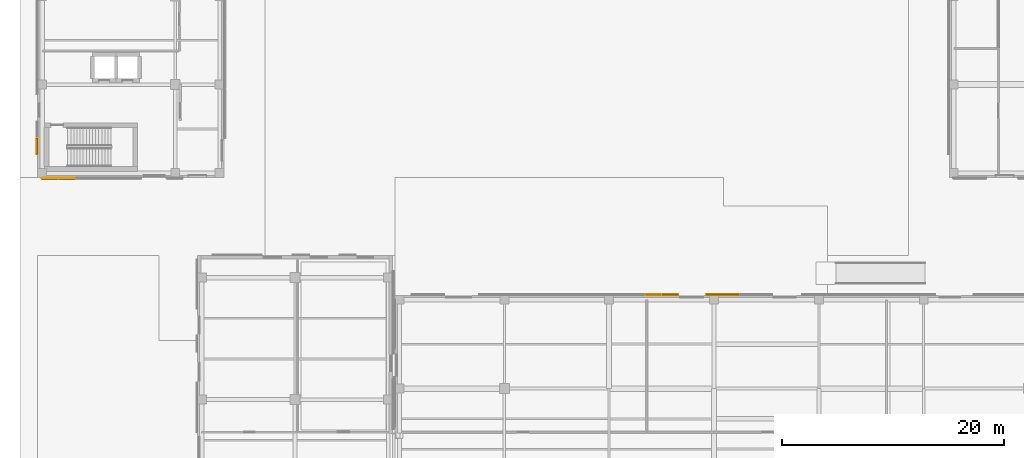
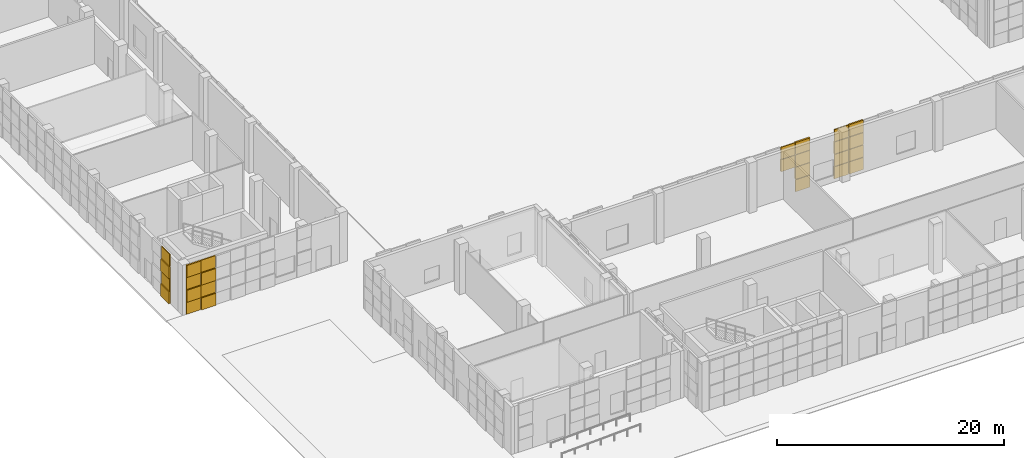
# One storey, part 23 of 40: 26 coverings.
"""IFC4 building model written with IfcOpenShell, lengths in metres."""

from ifc_helpers import new_model, si_unit, direction, frame, origin, origin_2d, place, context, subcontext, project, spatial, rectangle, extrude, material, layer, layer_set, type_object, element, save


model = new_model("IFC4")

# Units and contexts
model_context = context("Model", 3, precision=1e-05, world=origin(), true_north=direction((0.0, 1.0)))
body_context = subcontext(model_context, "Body", "Model", "MODEL_VIEW")
ifc_project = project(units=[si_unit("LENGTHUNIT", "METRE"), si_unit("AREAUNIT", "SQUARE_METRE"), si_unit("VOLUMEUNIT", "CUBIC_METRE"), si_unit("PLANEANGLEUNIT", "RADIAN"), si_unit("MASSUNIT", "GRAM", prefix="KILO")], contexts=[model_context])

# Site, building, storey
site_placement = place(None, origin())
site = spatial("IfcSite", under=ifc_project, at=site_placement, CompositionType="ELEMENT")
building_placement = place(site_placement, origin())
building = spatial("IfcBuilding", under=site, at=building_placement, Name="Qalavern Law Courts", CompositionType="ELEMENT")
storey_placement = place(building_placement, origin())
storey = spatial("IfcBuildingStorey", under=building, at=storey_placement, Name="L00", CompositionType="ELEMENT", Elevation=0.0)

# Coverings
ifc_material = material(Name="Precast concrete C40/50", Category="concrete")
ifc_layer_1 = layer(ifc_material, 0.06005859375)
ifc_layer_set_1 = layer_set([ifc_layer_1], Name="Precast concrete C40/50")
covering_type_1 = type_object("IfcCoveringType", Name="ENV-CLD-1", PredefinedType="CLADDING", material=ifc_layer_set_1)
for number, where, z_axis, x_axis, name in (
    (1, (64.489990234375, 30.43798828125, 2.719970703125), (0.0, 0.0, 1.0), (-1.0, 0.0, 0.0), "Cast drop-relief street-base tile 0371"),
    (2, (62.989990234375, 30.43798828125, 1.385009765625), (0.0, 0.0, 1.0), (-1.0, 0.0, 0.0), "Cast drop-relief street-base tile 0374"),
):
    element("IfcCovering", number, at=place(storey_placement, frame(where, z_axis=z_axis, x_axis=x_axis)), inside=storey, type_object=covering_type_1, Name=name, PredefinedType="CLADDING", context=body_context, shape_type="SweptSolid", body=[
        extrude(rectangle(XDim=1.449951171875, YDim=0.083984375, at=origin_2d()), origin(), (0.0, 0.0, 1.0), 1.294921875),
    ])
covering_1_placement = place(storey_placement, frame((59.0400390625, 30.47998046875, 1.385009765625), z_axis=(0.0, 0.0, 1.0), x_axis=(-1.0, 0.0, 0.0)))
element("IfcCovering", 3, at=covering_1_placement, inside=storey, type_object=covering_type_1, Name="Cast drop-relief street-base tile 0378", PredefinedType="CLADDING", context=body_context, shape_type="SweptSolid", body=[
    extrude(rectangle(XDim=1.449951171875, YDim=0.16796875, at=origin_2d()), origin(), (0.0, 0.0, 1.0), 1.294921875),
])
covering_2_placement = place(storey_placement, frame((57.5400390625, 30.43798828125, 4.054931640625), z_axis=(0.0, 0.0, 1.0), x_axis=(-1.0, 0.0, 0.0)))
element("IfcCovering", 4, at=covering_2_placement, inside=storey, type_object=covering_type_1, Name="Cast drop-relief street-base tile 0384", PredefinedType="CLADDING", context=body_context, shape_type="SweptSolid", body=[
    extrude(rectangle(XDim=1.449951171875, YDim=0.083984375, at=origin_2d()), origin(), (0.0, 0.0, 1.0), 1.294921875),
])
for number, where, z_axis, x_axis, name in (
    (5, (3.10009765625, 40.93994140625, 1.385009765625), (0.0, 0.0, 1.0), (1.0, 0.0, 0.0), "Cast drop-relief street-base tile 0482"),
    (6, (4.60009765625, 40.93994140625, 0.050048828125), (0.0, 0.0, 1.0), (1.0, 0.0, 0.0), "Cast drop-relief street-base tile 0485"),
):
    element("IfcCovering", number, at=place(storey_placement, frame(where, z_axis=z_axis, x_axis=x_axis)), inside=storey, type_object=covering_type_1, Name=name, PredefinedType="CLADDING", context=body_context, shape_type="SweptSolid", body=[
        extrude(rectangle(XDim=1.449951171875, YDim=0.16796875, at=origin_2d()), origin(), (0.0, 0.0, 1.0), 1.294921875),
    ])
covering_3_placement = place(storey_placement, frame((4.60009765625, 40.98193359375, 4.054931640625), z_axis=(0.0, 0.0, 1.0), x_axis=(1.0, 0.0, 0.0)))
element("IfcCovering", 7, at=covering_3_placement, inside=storey, type_object=covering_type_1, Name="Cast drop-relief street-base tile 0488", PredefinedType="CLADDING", context=body_context, shape_type="SweptSolid", body=[
    extrude(rectangle(XDim=1.449951171875, YDim=0.083984375, at=origin_2d()), origin(), (0.0, 0.0, 1.0), 1.294921875),
])
covering_4_placement = place(storey_placement, frame((1.919921875, 43.85009765625, 0.050048828125), z_axis=(0.0, 0.0, 1.0), x_axis=(0.0, -1.0, 0.0)))
element("IfcCovering", 8, at=covering_4_placement, inside=storey, type_object=covering_type_1, Name="Cast drop-relief street-base tile 0769", PredefinedType="CLADDING", context=body_context, shape_type="SweptSolid", body=[
    extrude(rectangle(XDim=1.449951171875, YDim=0.16796875, at=origin_2d()), origin(), (0.0, 0.0, 1.0), 1.294921875),
])
covering_5_placement = place(storey_placement, frame((1.9619140625, 43.85009765625, 4.054931640625), z_axis=(0.0, 0.0, 1.0), x_axis=(0.0, -1.0, 0.0)))
element("IfcCovering", 9, at=covering_5_placement, inside=storey, type_object=covering_type_1, Name="Cast drop-relief street-base tile 0772", PredefinedType="CLADDING", context=body_context, shape_type="SweptSolid", body=[
    extrude(rectangle(XDim=1.449951171875, YDim=0.083984375, at=origin_2d()), origin(), (0.0, 0.0, 1.0), 1.294921875),
])
ifc_layer_2 = layer(ifc_material, 0.072021484375)
ifc_layer_set_2 = layer_set([ifc_layer_2], Name="Precast concrete C40/50")
covering_type_2 = type_object("IfcCoveringType", Name="ENV-CLD-2", PredefinedType="CLADDING", material=ifc_layer_set_2)
covering_6_placement = place(storey_placement, frame((64.489990234375, 30.43798828125, 0.050048828125), z_axis=(0.0, 0.0, 1.0), x_axis=(-1.0, 0.0, 0.0)))
element("IfcCovering", 10, at=covering_6_placement, inside=storey, type_object=covering_type_2, Name="Cast drop-relief street-base tile 0369", PredefinedType="CLADDING", context=body_context, shape_type="SweptSolid", body=[
    extrude(rectangle(XDim=1.449951171875, YDim=0.083984375, at=origin_2d()), origin(), (0.0, 0.0, 1.0), 1.294921875),
])
for number, where, z_axis, x_axis, name in (
    (11, (64.489990234375, 30.47998046875, 4.054931640625), (0.0, 0.0, 1.0), (-1.0, 0.0, 0.0), "Cast drop-relief street-base tile 0372"),
    (12, (62.989990234375, 30.47998046875, 2.719970703125), (0.0, 0.0, 1.0), (-1.0, 0.0, 0.0), "Cast drop-relief street-base tile 0375"),
):
    element("IfcCovering", number, at=place(storey_placement, frame(where, z_axis=z_axis, x_axis=x_axis)), inside=storey, type_object=covering_type_2, Name=name, PredefinedType="CLADDING", context=body_context, shape_type="SweptSolid", body=[
        extrude(rectangle(XDim=1.449951171875, YDim=0.16796875, at=origin_2d()), origin(), (0.0, 0.0, 1.0), 1.294921875),
    ])
for number, where, z_axis, x_axis, name in (
    (13, (59.0400390625, 30.43798828125, 2.719970703125), (0.0, 0.0, 1.0), (-1.0, 0.0, 0.0), "Cast drop-relief street-base tile 0379"),
    (14, (3.10009765625, 40.98193359375, 2.719970703125), (0.0, 0.0, 1.0), (1.0, 0.0, 0.0), "Cast drop-relief street-base tile 0483"),
    (15, (4.60009765625, 40.98193359375, 1.385009765625), (0.0, 0.0, 1.0), (1.0, 0.0, 0.0), "Cast drop-relief street-base tile 0486"),
    (16, (1.9619140625, 43.85009765625, 1.385009765625), (0.0, 0.0, 1.0), (0.0, -1.0, 0.0), "Cast drop-relief street-base tile 0770"),
):
    element("IfcCovering", number, at=place(storey_placement, frame(where, z_axis=z_axis, x_axis=x_axis)), inside=storey, type_object=covering_type_2, Name=name, PredefinedType="CLADDING", context=body_context, shape_type="SweptSolid", body=[
        extrude(rectangle(XDim=1.449951171875, YDim=0.083984375, at=origin_2d()), origin(), (0.0, 0.0, 1.0), 1.294921875),
    ])
ifc_layer_3 = layer(ifc_material, 0.083984375)
ifc_layer_set_3 = layer_set([ifc_layer_3], Name="Precast concrete C40/50")
covering_type_3 = type_object("IfcCoveringType", Name="ENV-CLD-3", PredefinedType="CLADDING", material=ifc_layer_set_3)
for number, where, z_axis, x_axis, name in (
    (17, (64.489990234375, 30.47998046875, 1.385009765625), (0.0, 0.0, 1.0), (-1.0, 0.0, 0.0), "Cast drop-relief street-base tile 0370"),
    (18, (62.989990234375, 30.47998046875, 0.050048828125), (0.0, 0.0, 1.0), (-1.0, 0.0, 0.0), "Cast drop-relief street-base tile 0373"),
):
    element("IfcCovering", number, at=place(storey_placement, frame(where, z_axis=z_axis, x_axis=x_axis)), inside=storey, type_object=covering_type_3, Name=name, PredefinedType="CLADDING", context=body_context, shape_type="SweptSolid", body=[
        extrude(rectangle(XDim=1.449951171875, YDim=0.16796875, at=origin_2d()), origin(), (0.0, 0.0, 1.0), 1.294921875),
    ])
for number, where, z_axis, x_axis, name in (
    (19, (62.989990234375, 30.43798828125, 4.054931640625), (0.0, 0.0, 1.0), (-1.0, 0.0, 0.0), "Cast drop-relief street-base tile 0376"),
    (20, (59.0400390625, 30.43798828125, 0.050048828125), (0.0, 0.0, 1.0), (-1.0, 0.0, 0.0), "Cast drop-relief street-base tile 0377"),
):
    element("IfcCovering", number, at=place(storey_placement, frame(where, z_axis=z_axis, x_axis=x_axis)), inside=storey, type_object=covering_type_3, Name=name, PredefinedType="CLADDING", context=body_context, shape_type="SweptSolid", body=[
        extrude(rectangle(XDim=1.449951171875, YDim=0.083984375, at=origin_2d()), origin(), (0.0, 0.0, 1.0), 1.294921875),
    ])
for number, where, z_axis, x_axis, name in (
    (21, (59.0400390625, 30.47998046875, 4.054931640625), (0.0, 0.0, 1.0), (-1.0, 0.0, 0.0), "Cast drop-relief street-base tile 0380"),
    (22, (57.5400390625, 30.47998046875, 2.719970703125), (0.0, 0.0, 1.0), (-1.0, 0.0, 0.0), "Cast drop-relief street-base tile 0383"),
):
    element("IfcCovering", number, at=place(storey_placement, frame(where, z_axis=z_axis, x_axis=x_axis)), inside=storey, type_object=covering_type_3, Name=name, PredefinedType="CLADDING", context=body_context, shape_type="SweptSolid", body=[
        extrude(rectangle(XDim=1.449951171875, YDim=0.16796875, at=origin_2d()), origin(), (0.0, 0.0, 1.0), 1.294921875),
    ])
covering_7_placement = place(storey_placement, frame((3.10009765625, 40.98193359375, 0.050048828125), z_axis=(0.0, 0.0, 1.0), x_axis=(1.0, 0.0, 0.0)))
element("IfcCovering", 23, at=covering_7_placement, inside=storey, type_object=covering_type_3, Name="Cast drop-relief street-base tile 0481", PredefinedType="CLADDING", context=body_context, shape_type="SweptSolid", body=[
    extrude(rectangle(XDim=1.449951171875, YDim=0.083984375, at=origin_2d()), origin(), (0.0, 0.0, 1.0), 1.294921875),
])
for number, where, z_axis, x_axis, name in (
    (24, (3.10009765625, 40.93994140625, 4.054931640625), (0.0, 0.0, 1.0), (1.0, 0.0, 0.0), "Cast drop-relief street-base tile 0484"),
    (25, (4.60009765625, 40.93994140625, 2.719970703125), (0.0, 0.0, 1.0), (1.0, 0.0, 0.0), "Cast drop-relief street-base tile 0487"),
    (26, (1.919921875, 43.85009765625, 2.719970703125), (0.0, 0.0, 1.0), (0.0, -1.0, 0.0), "Cast drop-relief street-base tile 0771"),
):
    element("IfcCovering", number, at=place(storey_placement, frame(where, z_axis=z_axis, x_axis=x_axis)), inside=storey, type_object=covering_type_3, Name=name, PredefinedType="CLADDING", context=body_context, shape_type="SweptSolid", body=[
        extrude(rectangle(XDim=1.449951171875, YDim=0.16796875, at=origin_2d()), origin(), (0.0, 0.0, 1.0), 1.294921875),
    ])

save(model, "model.ifc")
